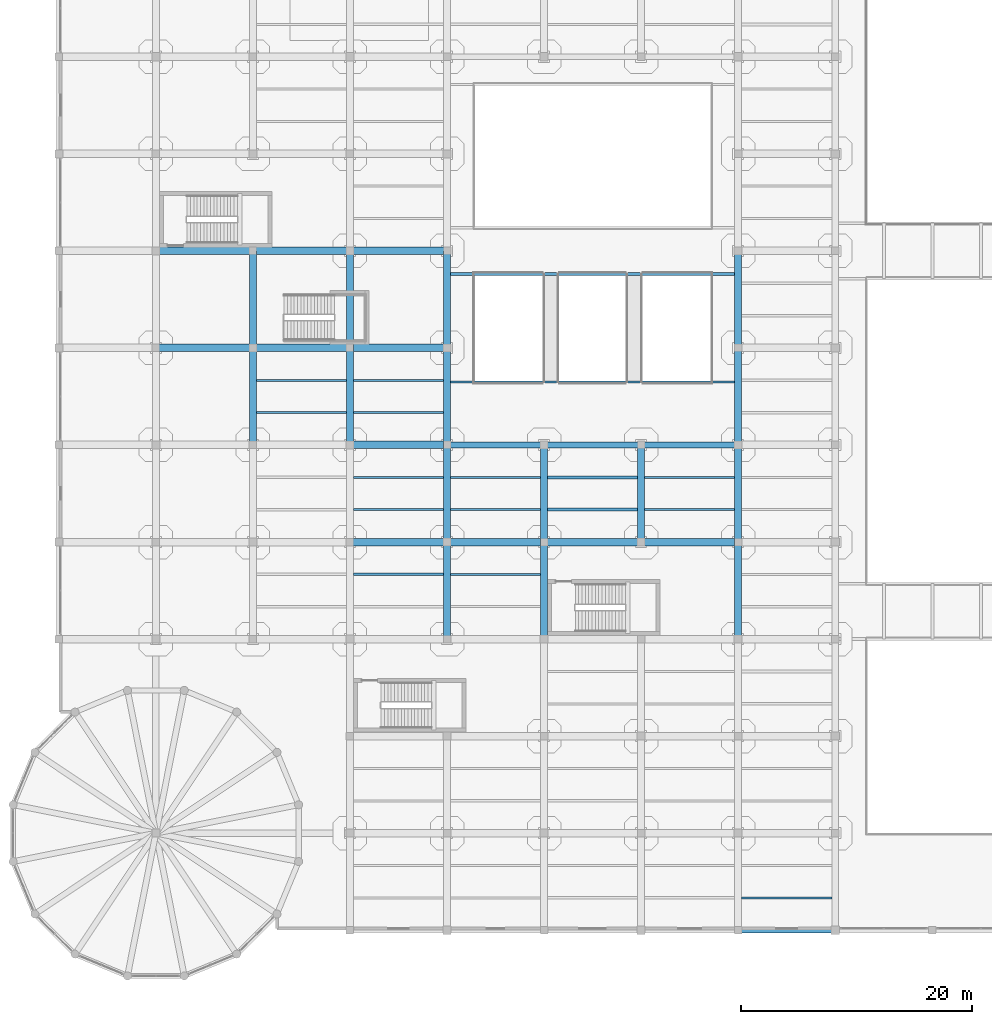
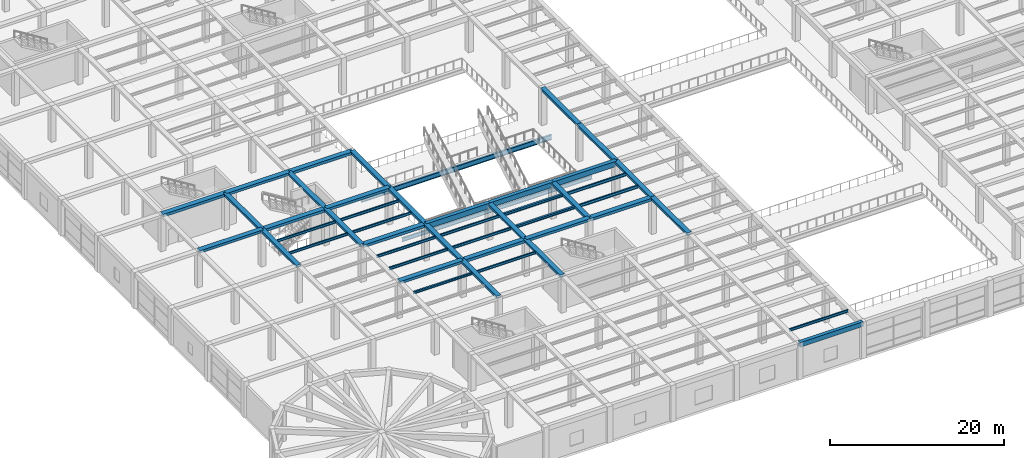
# One storey, part 22 of 96: 47 beams.
"""IFC4 building model written with IfcOpenShell, lengths in metres."""

from ifc_helpers import new_model, si_unit, direction, frame, origin, origin_2d, place, context, subcontext, project, spatial, rectangle, i_section, extrude, material, material_profile, profile_set, type_object, element, save


model = new_model("IFC4")

# Units and contexts
model_context = context("Model", 3, precision=1e-05, world=origin(), true_north=direction((0.0, 1.0)))
body_context = subcontext(model_context, "Body", "Model", "MODEL_VIEW")
ifc_project = project(units=[si_unit("LENGTHUNIT", "METRE"), si_unit("AREAUNIT", "SQUARE_METRE"), si_unit("VOLUMEUNIT", "CUBIC_METRE"), si_unit("PLANEANGLEUNIT", "RADIAN"), si_unit("MASSUNIT", "GRAM", prefix="KILO")], contexts=[model_context])

# Site, building, storey
site_placement = place(None, origin())
site = spatial("IfcSite", under=ifc_project, at=site_placement, CompositionType="ELEMENT")
building_placement = place(site_placement, origin())
building = spatial("IfcBuilding", under=site, at=building_placement, Name="Almacenes y Pasaje Nevantli", CompositionType="ELEMENT")
storey_placement = place(building_placement, frame((0.0, 0.0, 6.0)))
storey = spatial("IfcBuildingStorey", under=building, at=storey_placement, Name="L02", CompositionType="ELEMENT", Elevation=6.0)

# Beams
ifc_material_1 = material(Name="Concrete C35/45", Category="concrete")
ifc_material_profile_1 = material_profile(ifc_material_1, rectangle(XDim=0.449951171875, YDim=0.64990234375, at=origin_2d()), Name="RC-BM-450x650")
ifc_profile_set_1 = profile_set([ifc_material_profile_1], Name="Concrete C35/45")
beam_type_1 = type_object("IfcBeamType", Name="BM-RC-450x650", PredefinedType="SPANDREL", material=ifc_profile_set_1)
beam_1_placement = place(storey_placement, frame((58.800048828125, 0.0, 4.77490234375), z_axis=(1.0, 0.0, 0.0), x_axis=(0.0, 1.0, 0.0)))
element("IfcBeam", 1, at=beam_1_placement, inside=storey, type_object=beam_type_1, Name="L02 East-West Reinforced Concrete Beam #1727", PredefinedType="SPANDREL", context=body_context, shape_type="SweptSolid", body=[
    extrude(rectangle(XDim=0.449951171875, YDim=0.64990234375, at=origin_2d()), origin(), (0.0, 0.0, 1.0), 8.39990234375),
])
ifc_material_2 = material(Name="Concrete C35/45", Category="concrete")
ifc_material_profile_2 = material_profile(ifc_material_2, rectangle(XDim=0.5, YDim=0.699951171875, at=origin_2d()), Name="RC-BM-500x700")
ifc_profile_set_2 = profile_set([ifc_material_profile_2], Name="Concrete C35/45")
beam_type_2 = type_object("IfcBeamType", Name="BM-RC-500x700", PredefinedType="BEAM", material=ifc_profile_set_2)
beam_2_placement = place(storey_placement, frame((42.0, 42.0, 4.75), z_axis=(1.0, 0.0, 0.0), x_axis=(0.0, 1.0, 0.0)))
element("IfcBeam", 2, at=beam_2_placement, inside=storey, type_object=beam_type_2, Name="L02 East-West Reinforced Concrete Beam #1807", PredefinedType="BEAM", context=body_context, shape_type="SweptSolid", body=[
    extrude(rectangle(XDim=0.5, YDim=0.699951171875, at=origin_2d()), origin(), (0.0, 0.0, 1.0), 8.39990234375),
])
ifc_material_3 = material(Name="Concrete C35/45", Category="concrete")
ifc_material_profile_3 = material_profile(ifc_material_3, rectangle(XDim=0.5, YDim=0.75, at=origin_2d()), Name="RC-BM-500x750")
ifc_profile_set_3 = profile_set([ifc_material_profile_3], Name="Concrete C35/45")
beam_type_3 = type_object("IfcBeamType", Name="BM-RC-500x750", PredefinedType="BEAM", material=ifc_profile_set_3)
beam_3_placement = place(storey_placement, frame((33.60009765625, 42.0, 4.72509765625), z_axis=(1.0, 0.0, 0.0), x_axis=(0.0, 1.0, 0.0)))
element("IfcBeam", 3, at=beam_3_placement, inside=storey, type_object=beam_type_3, Name="L02 East-West Reinforced Concrete Beam #1806", PredefinedType="BEAM", context=body_context, shape_type="SweptSolid", body=[
    extrude(rectangle(XDim=0.5, YDim=0.75, at=origin_2d()), origin(), (0.0, 0.0, 1.0), 8.39990234375),
])
beam_4_placement = place(storey_placement, frame((50.39990234375, 42.0, 4.72509765625), z_axis=(1.0, 0.0, 0.0), x_axis=(0.0, 1.0, 0.0)))
element("IfcBeam", 4, at=beam_4_placement, inside=storey, type_object=beam_type_3, Name="L02 East-West Reinforced Concrete Beam #1808", PredefinedType="BEAM", context=body_context, shape_type="SweptSolid", body=[
    extrude(rectangle(XDim=0.5, YDim=0.75, at=origin_2d()), origin(), (0.0, 0.0, 1.0), 8.400146484375),
])
ifc_material_4 = material(Name="Concrete C35/45", Category="concrete")
ifc_material_profile_4 = material_profile(ifc_material_4, rectangle(XDim=0.60009765625, YDim=0.320068359375, at=origin_2d()), Name="RC-BM-600x320")
ifc_profile_set_4 = profile_set([ifc_material_profile_4], Name="Concrete C35/45")
beam_type_4 = type_object("IfcBeamType", Name="BM-RC-600x320", PredefinedType="BEAM", material=ifc_profile_set_4)
beam_5_placement = place(storey_placement, frame((16.800048828125, 42.0, 4.93994140625), z_axis=(0.0, 1.0, 0.0), x_axis=(-1.0, 0.0, 0.0)))
element("IfcBeam", 5, at=beam_5_placement, inside=storey, type_object=beam_type_4, Name="L02 North-South Reinforced Concrete Beam #1990", PredefinedType="BEAM", context=body_context, shape_type="SweptSolid", body=[
    extrude(rectangle(XDim=0.60009765625, YDim=0.320068359375, at=origin_2d()), origin(), (0.0, 0.0, 1.0), 8.39990234375),
])
for number, where, z_axis, x_axis, name in (
    (6, (25.199951171875, 50.39990234375, 4.93994140625), (0.0, 1.0, 0.0), (-1.0, 0.0, 0.0), "L02 North-South Reinforced Concrete Beam #2003"),
    (7, (33.60009765625, 25.199951171875, 4.93994140625), (0.0, 1.0, 0.0), (-1.0, 0.0, 0.0), "L02 North-South Reinforced Concrete Beam #2013"),
):
    element("IfcBeam", number, at=place(storey_placement, frame(where, z_axis=z_axis, x_axis=x_axis)), inside=storey, type_object=beam_type_4, Name=name, PredefinedType="BEAM", context=body_context, shape_type="SweptSolid", body=[
        extrude(rectangle(XDim=0.60009765625, YDim=0.320068359375, at=origin_2d()), origin(), (0.0, 0.0, 1.0), 8.400146484375),
    ])
for number, where, z_axis, x_axis, name in (
    (8, (33.60009765625, 42.0, 4.93994140625), (0.0, 1.0, 0.0), (-1.0, 0.0, 0.0), "L02 North-South Reinforced Concrete Beam #2015"),
    (9, (42.0, 33.60009765625, 4.93994140625), (0.0, 1.0, 0.0), (-1.0, 0.0, 0.0), "L02 North-South Reinforced Concrete Beam #2028"),
    (10, (58.800048828125, 33.60009765625, 4.93994140625), (0.0, 1.0, 0.0), (-1.0, 0.0, 0.0), "L02 North-South Reinforced Concrete Beam #2046"),
):
    element("IfcBeam", number, at=place(storey_placement, frame(where, z_axis=z_axis, x_axis=x_axis)), inside=storey, type_object=beam_type_4, Name=name, PredefinedType="BEAM", context=body_context, shape_type="SweptSolid", body=[
        extrude(rectangle(XDim=0.60009765625, YDim=0.320068359375, at=origin_2d()), origin(), (0.0, 0.0, 1.0), 8.39990234375),
    ])
beam_6_placement = place(storey_placement, frame((58.800048828125, 50.39990234375, 4.93994140625), z_axis=(0.0, 1.0, 0.0), x_axis=(-1.0, 0.0, 0.0)))
element("IfcBeam", 11, at=beam_6_placement, inside=storey, type_object=beam_type_4, Name="L02 North-South Reinforced Concrete Beam #2048", PredefinedType="BEAM", context=body_context, shape_type="SweptSolid", body=[
    extrude(rectangle(XDim=0.60009765625, YDim=0.320068359375, at=origin_2d()), origin(), (0.0, 0.0, 1.0), 8.400146484375),
])
ifc_material_5 = material(Name="Concrete C35/45", Category="concrete")
ifc_material_profile_5 = material_profile(ifc_material_5, rectangle(XDim=0.60009765625, YDim=0.340087890625, at=origin_2d()), Name="RC-BM-600x340")
ifc_profile_set_5 = profile_set([ifc_material_profile_5], Name="Concrete C35/45")
beam_type_5 = type_object("IfcBeamType", Name="BM-RC-600x340", PredefinedType="BEAM", material=ifc_profile_set_5)
beam_7_placement = place(storey_placement, frame((16.800048828125, 50.39990234375, 4.929931640625), z_axis=(0.0, 1.0, 0.0), x_axis=(-1.0, 0.0, 0.0)))
element("IfcBeam", 12, at=beam_7_placement, inside=storey, type_object=beam_type_5, Name="L02 North-South Reinforced Concrete Beam #1991", PredefinedType="BEAM", context=body_context, shape_type="SweptSolid", body=[
    extrude(rectangle(XDim=0.60009765625, YDim=0.340087890625, at=origin_2d()), origin(), (0.0, 0.0, 1.0), 8.400146484375),
])
for number, where, z_axis, x_axis, name in (
    (13, (25.199951171875, 42.0, 4.929931640625), (0.0, 1.0, 0.0), (-1.0, 0.0, 0.0), "L02 North-South Reinforced Concrete Beam #2002"),
    (14, (33.60009765625, 33.60009765625, 4.929931640625), (0.0, 1.0, 0.0), (-1.0, 0.0, 0.0), "L02 North-South Reinforced Concrete Beam #2014"),
):
    element("IfcBeam", number, at=place(storey_placement, frame(where, z_axis=z_axis, x_axis=x_axis)), inside=storey, type_object=beam_type_5, Name=name, PredefinedType="BEAM", context=body_context, shape_type="SweptSolid", body=[
        extrude(rectangle(XDim=0.60009765625, YDim=0.340087890625, at=origin_2d()), origin(), (0.0, 0.0, 1.0), 8.39990234375),
    ])
for number, where, z_axis, x_axis, name in (
    (15, (33.60009765625, 50.39990234375, 4.929931640625), (0.0, 1.0, 0.0), (-1.0, 0.0, 0.0), "L02 North-South Reinforced Concrete Beam #2016"),
    (16, (42.0, 25.199951171875, 4.929931640625), (0.0, 1.0, 0.0), (-1.0, 0.0, 0.0), "L02 North-South Reinforced Concrete Beam #2027"),
):
    element("IfcBeam", number, at=place(storey_placement, frame(where, z_axis=z_axis, x_axis=x_axis)), inside=storey, type_object=beam_type_5, Name=name, PredefinedType="BEAM", context=body_context, shape_type="SweptSolid", body=[
        extrude(rectangle(XDim=0.60009765625, YDim=0.340087890625, at=origin_2d()), origin(), (0.0, 0.0, 1.0), 8.400146484375),
    ])
beam_8_placement = place(storey_placement, frame((50.39990234375, 33.60009765625, 4.929931640625), z_axis=(0.0, 1.0, 0.0), x_axis=(-1.0, 0.0, 0.0)))
element("IfcBeam", 17, at=beam_8_placement, inside=storey, type_object=beam_type_5, Name="L02 North-South Reinforced Concrete Beam #2036", PredefinedType="BEAM", context=body_context, shape_type="SweptSolid", body=[
    extrude(rectangle(XDim=0.60009765625, YDim=0.340087890625, at=origin_2d()), origin(), (0.0, 0.0, 1.0), 8.39990234375),
])
beam_9_placement = place(storey_placement, frame((58.800048828125, 25.199951171875, 4.929931640625), z_axis=(0.0, 1.0, 0.0), x_axis=(-1.0, 0.0, 0.0)))
element("IfcBeam", 18, at=beam_9_placement, inside=storey, type_object=beam_type_5, Name="L02 North-South Reinforced Concrete Beam #2045", PredefinedType="BEAM", context=body_context, shape_type="SweptSolid", body=[
    extrude(rectangle(XDim=0.60009765625, YDim=0.340087890625, at=origin_2d()), origin(), (0.0, 0.0, 1.0), 8.400146484375),
])
beam_10_placement = place(storey_placement, frame((58.800048828125, 42.0, 4.929931640625), z_axis=(0.0, 1.0, 0.0), x_axis=(-1.0, 0.0, 0.0)))
element("IfcBeam", 19, at=beam_10_placement, inside=storey, type_object=beam_type_5, Name="L02 North-South Reinforced Concrete Beam #2047", PredefinedType="BEAM", context=body_context, shape_type="SweptSolid", body=[
    extrude(rectangle(XDim=0.60009765625, YDim=0.340087890625, at=origin_2d()), origin(), (0.0, 0.0, 1.0), 8.39990234375),
])
ifc_material_6 = material(Name="Concrete C35/45", Category="concrete")
ifc_material_profile_6 = material_profile(ifc_material_6, rectangle(XDim=0.64990234375, YDim=0.35009765625, at=origin_2d()), Name="RC-BM-650x350")
ifc_profile_set_6 = profile_set([ifc_material_profile_6], Name="Concrete C35/45")
beam_type_6 = type_object("IfcBeamType", Name="BM-RC-650x350", PredefinedType="BEAM", material=ifc_profile_set_6)
beam_11_placement = place(storey_placement, frame((25.199951171875, 33.60009765625, 4.925048828125), z_axis=(1.0, 0.0, 0.0), x_axis=(0.0, 1.0, 0.0)))
element("IfcBeam", 20, at=beam_11_placement, inside=storey, type_object=beam_type_6, Name="L02 East-West Reinforced Concrete Beam #1788", PredefinedType="BEAM", context=body_context, shape_type="SweptSolid", body=[
    extrude(rectangle(XDim=0.64990234375, YDim=0.35009765625, at=origin_2d()), origin(), (0.0, 0.0, 1.0), 8.400146484375),
])
beam_12_placement = place(storey_placement, frame((42.0, 33.60009765625, 4.925048828125), z_axis=(1.0, 0.0, 0.0), x_axis=(0.0, 1.0, 0.0)))
element("IfcBeam", 21, at=beam_12_placement, inside=storey, type_object=beam_type_6, Name="L02 East-West Reinforced Concrete Beam #1790", PredefinedType="BEAM", context=body_context, shape_type="SweptSolid", body=[
    extrude(rectangle(XDim=0.64990234375, YDim=0.35009765625, at=origin_2d()), origin(), (0.0, 0.0, 1.0), 8.39990234375),
])
for number, where, z_axis, x_axis, name in (
    (22, (8.39990234375, 50.39990234375, 4.925048828125), (1.0, 0.0, 0.0), (0.0, 1.0, 0.0), "L02 East-West Reinforced Concrete Beam #1820"),
    (23, (25.199951171875, 50.39990234375, 4.925048828125), (1.0, 0.0, 0.0), (0.0, 1.0, 0.0), "L02 East-West Reinforced Concrete Beam #1822"),
):
    element("IfcBeam", number, at=place(storey_placement, frame(where, z_axis=z_axis, x_axis=x_axis)), inside=storey, type_object=beam_type_6, Name=name, PredefinedType="BEAM", context=body_context, shape_type="SweptSolid", body=[
        extrude(rectangle(XDim=0.64990234375, YDim=0.35009765625, at=origin_2d()), origin(), (0.0, 0.0, 1.0), 8.400146484375),
    ])
beam_13_placement = place(storey_placement, frame((16.800048828125, 58.800048828125, 4.925048828125), z_axis=(1.0, 0.0, 0.0), x_axis=(0.0, 1.0, 0.0)))
element("IfcBeam", 24, at=beam_13_placement, inside=storey, type_object=beam_type_6, Name="L02 East-West Reinforced Concrete Beam #1835", PredefinedType="BEAM", context=body_context, shape_type="SweptSolid", body=[
    extrude(rectangle(XDim=0.64990234375, YDim=0.35009765625, at=origin_2d()), origin(), (0.0, 0.0, 1.0), 8.39990234375),
])
ifc_material_7 = material(Name="Concrete C35/45", Category="concrete")
ifc_material_profile_7 = material_profile(ifc_material_7, rectangle(XDim=0.64990234375, YDim=0.3798828125, at=origin_2d()), Name="RC-BM-650x380")
ifc_profile_set_7 = profile_set([ifc_material_profile_7], Name="Concrete C35/45")
beam_type_7 = type_object("IfcBeamType", Name="BM-RC-650x380", PredefinedType="BEAM", material=ifc_profile_set_7)
beam_14_placement = place(storey_placement, frame((33.60009765625, 33.60009765625, 4.909912109375), z_axis=(1.0, 0.0, 0.0), x_axis=(0.0, 1.0, 0.0)))
element("IfcBeam", 25, at=beam_14_placement, inside=storey, type_object=beam_type_7, Name="L02 East-West Reinforced Concrete Beam #1789", PredefinedType="BEAM", context=body_context, shape_type="SweptSolid", body=[
    extrude(rectangle(XDim=0.64990234375, YDim=0.3798828125, at=origin_2d()), origin(), (0.0, 0.0, 1.0), 8.39990234375),
])
for number, where, z_axis, x_axis, name in (
    (26, (50.39990234375, 33.60009765625, 4.909912109375), (1.0, 0.0, 0.0), (0.0, 1.0, 0.0), "L02 East-West Reinforced Concrete Beam #1791"),
    (27, (25.199951171875, 42.0, 4.909912109375), (1.0, 0.0, 0.0), (0.0, 1.0, 0.0), "L02 East-West Reinforced Concrete Beam #1805"),
):
    element("IfcBeam", number, at=place(storey_placement, frame(where, z_axis=z_axis, x_axis=x_axis)), inside=storey, type_object=beam_type_7, Name=name, PredefinedType="BEAM", context=body_context, shape_type="SweptSolid", body=[
        extrude(rectangle(XDim=0.64990234375, YDim=0.3798828125, at=origin_2d()), origin(), (0.0, 0.0, 1.0), 8.400146484375),
    ])
beam_15_placement = place(storey_placement, frame((16.800048828125, 50.39990234375, 4.909912109375), z_axis=(1.0, 0.0, 0.0), x_axis=(0.0, 1.0, 0.0)))
element("IfcBeam", 28, at=beam_15_placement, inside=storey, type_object=beam_type_7, Name="L02 East-West Reinforced Concrete Beam #1821", PredefinedType="BEAM", context=body_context, shape_type="SweptSolid", body=[
    extrude(rectangle(XDim=0.64990234375, YDim=0.3798828125, at=origin_2d()), origin(), (0.0, 0.0, 1.0), 8.39990234375),
])
for number, where, z_axis, x_axis, name in (
    (29, (8.39990234375, 58.800048828125, 4.909912109375), (1.0, 0.0, 0.0), (0.0, 1.0, 0.0), "L02 East-West Reinforced Concrete Beam #1834"),
    (30, (25.199951171875, 58.800048828125, 4.909912109375), (1.0, 0.0, 0.0), (0.0, 1.0, 0.0), "L02 East-West Reinforced Concrete Beam #1836"),
):
    element("IfcBeam", number, at=place(storey_placement, frame(where, z_axis=z_axis, x_axis=x_axis)), inside=storey, type_object=beam_type_7, Name=name, PredefinedType="BEAM", context=body_context, shape_type="SweptSolid", body=[
        extrude(rectangle(XDim=0.64990234375, YDim=0.3798828125, at=origin_2d()), origin(), (0.0, 0.0, 1.0), 8.400146484375),
    ])
ifc_material_8 = material(Name="Steel ASTM A992", Category="steel")
ifc_material_profile_8 = material_profile(ifc_material_8, i_section(OverallWidth=0.205078125, OverallDepth=0.31005859375, WebThickness=0.009521484375, FlangeThickness=0.016357421875, at=origin_2d()), Name="IR 305x74.4")
ifc_profile_set_8 = profile_set([ifc_material_profile_8], Name="Steel ASTM A992")
beam_type_8 = type_object("IfcBeamType", Name="BM-STL-IR-305x74p4", PredefinedType="JOIST", material=ifc_profile_set_8)
beam_16_placement = place(storey_placement, frame((25.5, 30.800048828125, 4.93701171875), z_axis=(1.0, 0.0, 0.0), x_axis=(0.0, 1.0, 0.0)))
element("IfcBeam", 31, at=beam_16_placement, inside=storey, type_object=beam_type_8, Name="L02 Secondary Steel Floor Joist #364", PredefinedType="JOIST", context=body_context, shape_type="SweptSolid", body=[
    extrude(i_section(OverallWidth=0.205078125, OverallDepth=0.31005859375, WebThickness=0.009521484375, FlangeThickness=0.016357421875, at=origin_2d()), origin(), (0.0, 0.0, 1.0), 7.800048828125),
])
ifc_material_9 = material(Name="Steel ASTM A992", Category="steel")
ifc_material_profile_9 = material_profile(ifc_material_9, i_section(OverallWidth=0.173095703125, OverallDepth=0.35302734375, WebThickness=0.0078125, FlangeThickness=0.01318359375, at=origin_2d()), Name="IR 356x56.6")
ifc_profile_set_9 = profile_set([ifc_material_profile_9], Name="Steel ASTM A992")
beam_type_9 = type_object("IfcBeamType", Name="BM-STL-IR-356x56p6", PredefinedType="JOIST", material=ifc_profile_set_9)
for number, where, z_axis, x_axis, name in (
    (32, (17.10009765625, 44.800048828125, 4.91552734375), (1.0, 0.0, 0.0), (0.0, 1.0, 0.0), "L02 Secondary Steel Floor Joist #347"),
    (33, (17.10009765625, 47.60009765625, 4.91552734375), (1.0, 0.0, 0.0), (0.0, 1.0, 0.0), "L02 Secondary Steel Floor Joist #348"),
):
    element("IfcBeam", number, at=place(storey_placement, frame(where, z_axis=z_axis, x_axis=x_axis)), inside=storey, type_object=beam_type_9, Name=name, PredefinedType="JOIST", context=body_context, shape_type="SweptSolid", body=[
        extrude(i_section(OverallWidth=0.173095703125, OverallDepth=0.35302734375, WebThickness=0.0078125, FlangeThickness=0.01318359375, at=origin_2d()), origin(), (0.0, 0.0, 1.0), 7.7998046875),
    ])
for number, where, z_axis, x_axis, name in (
    (34, (25.5, 36.39990234375, 4.91552734375), (1.0, 0.0, 0.0), (0.0, 1.0, 0.0), "L02 Secondary Steel Floor Joist #365"),
    (35, (25.5, 39.199951171875, 4.91552734375), (1.0, 0.0, 0.0), (0.0, 1.0, 0.0), "L02 Secondary Steel Floor Joist #366"),
    (36, (33.89990234375, 30.800048828125, 4.91552734375), (1.0, 0.0, 0.0), (0.0, 1.0, 0.0), "L02 Secondary Steel Floor Joist #388"),
):
    element("IfcBeam", number, at=place(storey_placement, frame(where, z_axis=z_axis, x_axis=x_axis)), inside=storey, type_object=beam_type_9, Name=name, PredefinedType="JOIST", context=body_context, shape_type="SweptSolid", body=[
        extrude(i_section(OverallWidth=0.173095703125, OverallDepth=0.35302734375, WebThickness=0.0078125, FlangeThickness=0.01318359375, at=origin_2d()), origin(), (0.0, 0.0, 1.0), 7.800048828125),
    ])
beam_17_placement = place(storey_placement, frame((59.10009765625, 2.800048828125, 4.91552734375), z_axis=(1.0, 0.0, 0.0), x_axis=(0.0, 1.0, 0.0)))
element("IfcBeam", 37, at=beam_17_placement, inside=storey, type_object=beam_type_9, Name="L02 Secondary Steel Floor Joist #431", PredefinedType="JOIST", context=body_context, shape_type="SweptSolid", body=[
    extrude(i_section(OverallWidth=0.173095703125, OverallDepth=0.35302734375, WebThickness=0.0078125, FlangeThickness=0.01318359375, at=origin_2d()), origin(), (0.0, 0.0, 1.0), 7.824951171875),
])
ifc_material_10 = material(Name="Steel ASTM A992", Category="steel")
ifc_material_profile_10 = material_profile(ifc_material_10, i_section(OverallWidth=0.173095703125, OverallDepth=0.364013671875, WebThickness=0.009033203125, FlangeThickness=0.015625, at=origin_2d()), Name="IR 356x67.0")
ifc_profile_set_10 = profile_set([ifc_material_profile_10], Name="Steel ASTM A992")
beam_type_10 = type_object("IfcBeamType", Name="BM-STL-IR-356x67p0", PredefinedType="JOIST", material=ifc_profile_set_10)
for number, where, z_axis, x_axis, name in (
    (38, (25.5, 44.800048828125, 4.909912109375), (1.0, 0.0, 0.0), (0.0, 1.0, 0.0), "L02 Secondary Steel Floor Joist #367"),
    (39, (25.5, 47.60009765625, 4.909912109375), (1.0, 0.0, 0.0), (0.0, 1.0, 0.0), "L02 Secondary Steel Floor Joist #368"),
    (40, (33.89990234375, 36.39990234375, 4.909912109375), (1.0, 0.0, 0.0), (0.0, 1.0, 0.0), "L02 Secondary Steel Floor Joist #389"),
    (41, (33.89990234375, 39.199951171875, 4.909912109375), (1.0, 0.0, 0.0), (0.0, 1.0, 0.0), "L02 Secondary Steel Floor Joist #390"),
):
    element("IfcBeam", number, at=place(storey_placement, frame(where, z_axis=z_axis, x_axis=x_axis)), inside=storey, type_object=beam_type_10, Name=name, PredefinedType="JOIST", context=body_context, shape_type="SweptSolid", body=[
        extrude(i_section(OverallWidth=0.173095703125, OverallDepth=0.364013671875, WebThickness=0.009033203125, FlangeThickness=0.015625, at=origin_2d()), origin(), (0.0, 0.0, 1.0), 7.800048828125),
    ])
ifc_material_11 = material(Name="Steel ASTM A992", Category="steel")
ifc_material_profile_11 = material_profile(ifc_material_11, i_section(OverallWidth=0.25390625, OverallDepth=0.35595703125, WebThickness=0.009521484375, FlangeThickness=0.016357421875, at=origin_2d()), Name="IR 356x79.0")
ifc_profile_set_11 = profile_set([ifc_material_profile_11], Name="Steel ASTM A992")
beam_type_11 = type_object("IfcBeamType", Name="BM-STL-IR-356x79p0", PredefinedType="JOIST", material=ifc_profile_set_11)
for number, where, z_axis, x_axis, name in (
    (42, (42.300048828125, 36.39990234375, 4.9140625), (1.0, 0.0, 0.0), (0.0, 1.0, 0.0), "L02 Secondary Steel Floor Joist #405"),
    (43, (42.300048828125, 39.199951171875, 4.9140625), (1.0, 0.0, 0.0), (0.0, 1.0, 0.0), "L02 Secondary Steel Floor Joist #406"),
):
    element("IfcBeam", number, at=place(storey_placement, frame(where, z_axis=z_axis, x_axis=x_axis)), inside=storey, type_object=beam_type_11, Name=name, PredefinedType="JOIST", context=body_context, shape_type="SweptSolid", body=[
        extrude(i_section(OverallWidth=0.25390625, OverallDepth=0.35595703125, WebThickness=0.009521484375, FlangeThickness=0.016357421875, at=origin_2d()), origin(), (0.0, 0.0, 1.0), 7.800048828125),
    ])
ifc_material_12 = material(Name="Steel ASTM A992", Category="steel")
ifc_material_profile_12 = material_profile(ifc_material_12, i_section(OverallWidth=0.178955078125, OverallDepth=0.406005859375, WebThickness=0.0087890625, FlangeThickness=0.014404296875, at=origin_2d()), Name="IR 406x67.0")
ifc_profile_set_12 = profile_set([ifc_material_profile_12], Name="Steel ASTM A992")
beam_type_12 = type_object("IfcBeamType", Name="BM-STL-IR-406x67p0", PredefinedType="JOIST", material=ifc_profile_set_12)
for number, where, z_axis, x_axis, name in (
    (44, (50.699951171875, 36.39990234375, 4.888916015625), (1.0, 0.0, 0.0), (0.0, 1.0, 0.0), "L02 Secondary Steel Floor Joist #421"),
    (45, (50.699951171875, 39.199951171875, 4.888916015625), (1.0, 0.0, 0.0), (0.0, 1.0, 0.0), "L02 Secondary Steel Floor Joist #422"),
):
    element("IfcBeam", number, at=place(storey_placement, frame(where, z_axis=z_axis, x_axis=x_axis)), inside=storey, type_object=beam_type_12, Name=name, PredefinedType="JOIST", context=body_context, shape_type="SweptSolid", body=[
        extrude(i_section(OverallWidth=0.178955078125, OverallDepth=0.406005859375, WebThickness=0.0087890625, FlangeThickness=0.014404296875, at=origin_2d()), origin(), (0.0, 0.0, 1.0), 7.800048828125),
    ])
ifc_material_13 = material(Name="Steel ASTM A992", Category="steel")
ifc_material_profile_13 = material_profile(ifc_material_13, i_section(OverallWidth=0.2119140625, OverallDepth=0.5439453125, WebThickness=0.01318359375, FlangeThickness=0.021240234375, at=origin_2d()), Name="IR 533x123.5")
ifc_profile_set_13 = profile_set([ifc_material_profile_13], Name="Steel ASTM A992")
beam_type_13 = type_object("IfcBeamType", Name="BM-STL-IR-533x123p5", PredefinedType="BEAM", material=ifc_profile_set_13)
beam_18_placement = place(storey_placement, frame((33.60009765625, 47.449951171875, -0.580078125), z_axis=(1.0, 0.0, 0.0), x_axis=(0.0, 1.0, 0.0)))
element("IfcBeam", 46, at=beam_18_placement, inside=storey, type_object=beam_type_13, Name="L02 Atrium Escalator Bridge and Trimmer Girder #1", PredefinedType="BEAM", context=body_context, shape_type="SweptSolid", body=[
    extrude(i_section(OverallWidth=0.2119140625, OverallDepth=0.5439453125, WebThickness=0.01318359375, FlangeThickness=0.021240234375, at=origin_2d()), origin(), (0.0, 0.0, 1.0), 25.199951171875),
])
ifc_material_14 = material(Name="Steel ASTM A992", Category="steel")
ifc_material_profile_14 = material_profile(ifc_material_14, i_section(OverallWidth=0.25390625, OverallDepth=0.68798828125, WebThickness=0.01318359375, FlangeThickness=0.02099609375, at=origin_2d()), Name="IR 686x152.0")
ifc_profile_set_14 = profile_set([ifc_material_profile_14], Name="Steel ASTM A992")
beam_type_14 = type_object("IfcBeamType", Name="BM-STL-IR-686x152p0", PredefinedType="BEAM", material=ifc_profile_set_14)
beam_19_placement = place(storey_placement, frame((33.60009765625, 56.800048828125, -0.652099609375), z_axis=(1.0, 0.0, 0.0), x_axis=(0.0, 1.0, 0.0)))
element("IfcBeam", 47, at=beam_19_placement, inside=storey, type_object=beam_type_14, Name="L02 Atrium Escalator Bridge and Trimmer Girder #2", PredefinedType="BEAM", context=body_context, shape_type="SweptSolid", body=[
    extrude(i_section(OverallWidth=0.25390625, OverallDepth=0.68798828125, WebThickness=0.01318359375, FlangeThickness=0.02099609375, at=origin_2d()), origin(), (0.0, 0.0, 1.0), 25.199951171875),
])

save(model, "model.ifc")
